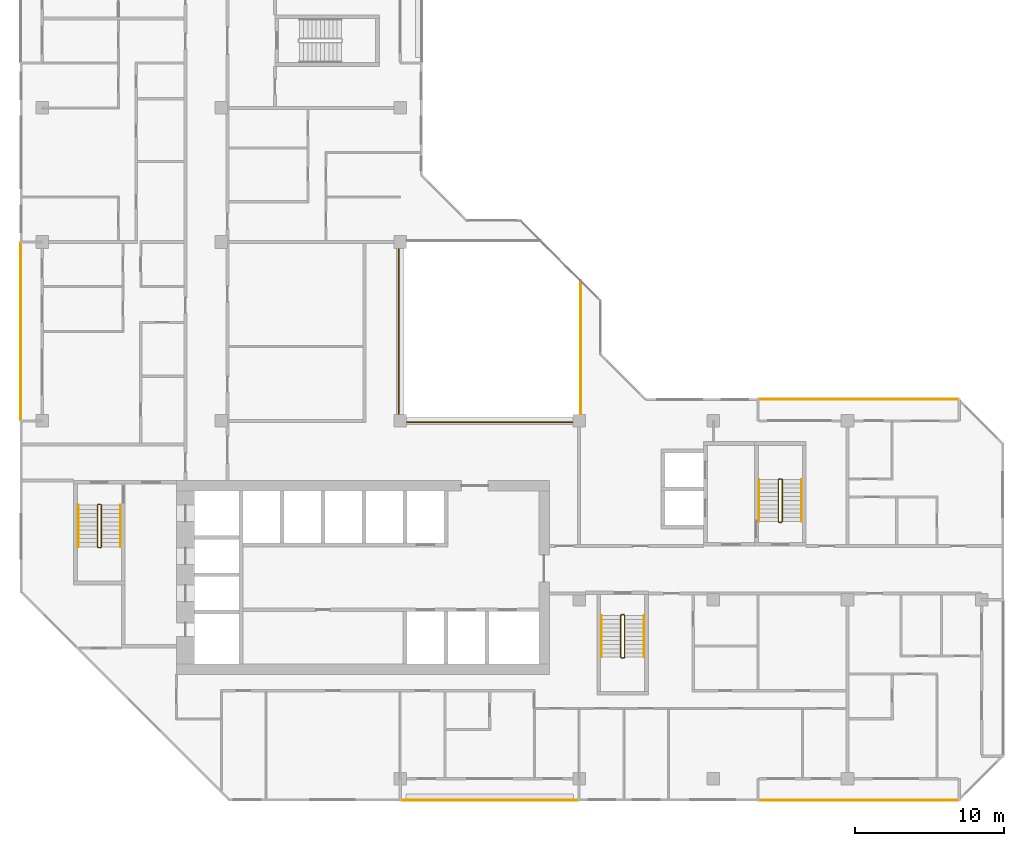
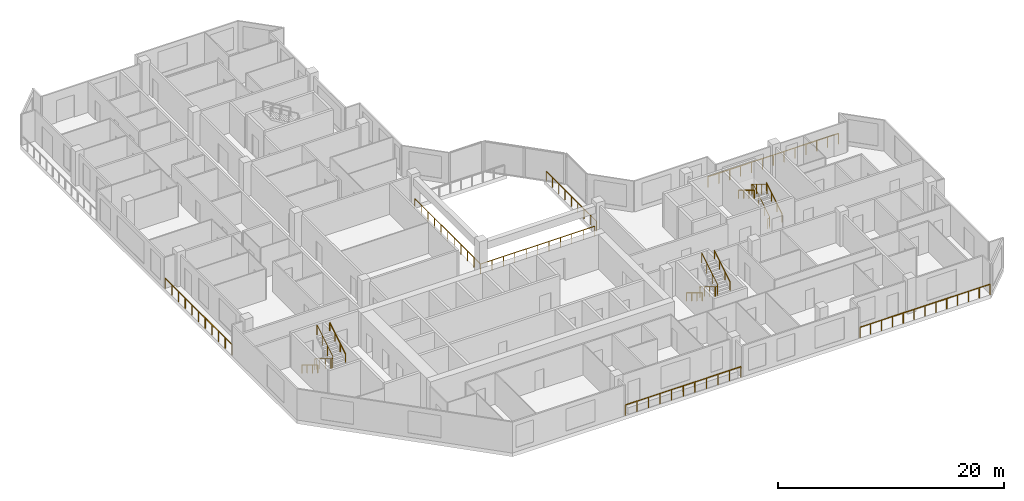
# One storey, part 13 of 14: 15 railings.
"""IFC4 building model written with IfcOpenShell, lengths in metres."""

import ifcopenshell
import ifcopenshell.guid

model = None  # the IFC model being written
_history = None  # IfcOwnerHistory: only IFC2X3 demands one
_inside = {}  # id of a spatial element -> (the spatial element, [elements in it])
_under = {}  # id of a project, library or spatial element -> (it, [spatial elements below it])
_declared = {}  # id of a project -> (the project, [libraries it declares])
_typed = {}  # id of a type object -> (the type object, [elements of that type])
_made_of = {}  # id of a material, layer set ... -> (it, [elements and type objects made of it])


def new_model(schema):
    """Start an empty IFC model of exactly this schema.

    Asked for "IFC4X3", IfcOpenShell would pick the latest addendum, in which some entities
    have other attributes; the version numbers below select the first issue.
    IFC2X3 requires an IfcOwnerHistory on every rooted entity: one is made here for all.
    """
    global model, _history
    if schema == "IFC4X3":
        model = ifcopenshell.file(schema_version=(4, 3, 0, 0))
    else:
        model = ifcopenshell.file(schema=schema)
    _inside.clear()
    _under.clear()
    _declared.clear()
    _typed.clear()
    _made_of.clear()
    _history = None
    if model.schema == "IFC2X3":
        org = make("IfcOrganization", Name="unknown")
        user = make(
            "IfcPersonAndOrganization",
            ThePerson=make("IfcPerson", FamilyName="unknown"),
            TheOrganization=org,
        )
        app = make(
            "IfcApplication",
            ApplicationDeveloper=org,
            Version="unknown",
            ApplicationFullName="unknown",
            ApplicationIdentifier="unknown",
        )
        _history = make(
            "IfcOwnerHistory",
            OwningUser=user,
            OwningApplication=app,
            ChangeAction="ADDED",
            CreationDate=0,
        )
    return model


def make(cls, **values):
    """One entity of the class cls with the attributes given. An attribute that is None is left unset."""
    return model.create_entity(
        cls, **{name: value for name, value in values.items() if value is not None}
    )


def rooted(cls, **values):
    """An entity with a GlobalId (a new one), such as an element, a storey or a relation."""
    return make(cls, GlobalId=ifcopenshell.guid.new(), OwnerHistory=_history, **values)


def si_unit(unit_type, name, prefix=None):
    """IfcSIUnit, for example si_unit("LENGTHUNIT", "METRE", prefix="MILLI")."""
    return make("IfcSIUnit", UnitType=unit_type, Prefix=prefix, Name=name)


def assignment(units):
    """IfcUnitAssignment: the units of a project."""
    return None if units is None else make("IfcUnitAssignment", Units=units)


def point(xyz):
    """IfcCartesianPoint."""
    return None if xyz is None else make("IfcCartesianPoint", Coordinates=xyz)


def direction(xyz):
    """IfcDirection."""
    return None if xyz is None else make("IfcDirection", DirectionRatios=xyz)


def frame(location, z_axis=None, x_axis=None):
    """IfcAxis2Placement3D, a coordinate frame: its origin and axes. An axis left out is left unset."""
    return make(
        "IfcAxis2Placement3D",
        Location=point(location),
        Axis=direction(z_axis),
        RefDirection=direction(x_axis),
    )


def frame_2d(location, x_axis=None):
    """IfcAxis2Placement2D, a coordinate frame in the plane: its origin and x axis."""
    return make(
        "IfcAxis2Placement2D", Location=point(location), RefDirection=direction(x_axis)
    )


def origin():
    """The frame at (0, 0, 0) with its axes left unset."""
    return frame((0.0, 0.0, 0.0))


def origin_2d():
    """The frame at (0, 0) in the plane with its x axis left unset."""
    return frame_2d((0.0, 0.0))


def place(relative_to, where):
    """IfcLocalPlacement: puts the frame where relative to a parent placement (None: the world)."""
    return make(
        "IfcLocalPlacement", PlacementRelTo=relative_to, RelativePlacement=where
    )


def context(
    kind, dimensions, precision=None, world=None, true_north=None, identifier=None
):
    """IfcGeometricRepresentationContext, for example the 3D "Model" context."""
    return make(
        "IfcGeometricRepresentationContext",
        ContextIdentifier=identifier,
        ContextType=kind,
        CoordinateSpaceDimension=dimensions,
        Precision=precision,
        WorldCoordinateSystem=world,
        TrueNorth=true_north,
    )


def subcontext(parent, identifier, kind, view, scale=None):
    """IfcGeometricRepresentationSubContext, for example "Body" below "Model"."""
    return make(
        "IfcGeometricRepresentationSubContext",
        ContextIdentifier=identifier,
        ContextType=kind,
        ParentContext=parent,
        TargetScale=scale,
        TargetView=view,
    )


def project(units=None, contexts=None):
    """IfcProject with its units and contexts."""
    return rooted(
        "IfcProject",
        Name="project",
        RepresentationContexts=contexts,
        UnitsInContext=assignment(units),
    )


def spatial(cls, under=None, at=None, **own):
    """A site, building, storey or space (cls), placed at a placement, below another one or the project."""
    s = rooted(cls, ObjectPlacement=at, **own)
    if under is not None:
        _under.setdefault(under.id(), (under, []))[1].append(s)
    return s


def profile(cls, at=None, kind="AREA", **sizes):
    """A parametric profile (cls). Its sizes go by their IFC names, for example OverallWidth=200.0."""
    return make(cls, ProfileType=kind, Position=at, **sizes)


def rectangle(**sizes):
    """IfcRectangleProfileDef."""
    return profile("IfcRectangleProfileDef", **sizes)


def extrude(swept, where, along, depth):
    """IfcExtrudedAreaSolid: the profile swept, set in the frame where, extruded along a direction by depth."""
    return make(
        "IfcExtrudedAreaSolid",
        SweptArea=swept,
        Position=where,
        ExtrudedDirection=direction(along),
        Depth=depth,
    )


def shape(context_of_items, identifier, shape_type, items):
    """IfcShapeRepresentation: the items that make up one representation, for example the "Body"."""
    return make(
        "IfcShapeRepresentation",
        ContextOfItems=context_of_items,
        RepresentationIdentifier=identifier,
        RepresentationType=shape_type,
        Items=items,
    )


def material(Name=None, Category=None):
    """IfcMaterial."""
    return make("IfcMaterial", Name=Name, Category=Category)


def made_of(thing, what):
    """Note that an element or type object is made of a material, layer set ...; save() writes the relation."""
    if what is not None:
        _made_of.setdefault(what.id(), (what, []))[1].append(thing)
    return thing


def type_object(cls, material=None, **own):
    """A type object (cls), such as IfcWallType, which elements share."""
    return made_of(rooted(cls, **own), material)


def element(
    cls,
    number,
    at=None,
    inside=None,
    cuts=None,
    type_object=None,
    material=None,
    context=None,
    identifier="Body",
    shape_type=None,
    held_by="IfcProductDefinitionShape",
    body=None,
    shapes=None,
    **own,
):
    """One element of the class cls, such as IfcWall. Its Tag is "e" and its number.

    at: its placement. inside: the storey or other place that contains it. cuts: it is an
    opening in that element (IfcRelVoidsElement). A single representation is given by context,
    identifier, shape_type and body (its items); several are given by shapes. held_by: the class
    of the entity that holds the representations. save() writes the other relations.
    """
    e = rooted(cls, Tag="e%d" % number, ObjectPlacement=at, **own)
    if body is not None:
        shapes = [shape(context, identifier, shape_type, body)]
    if shapes is not None:
        e.Representation = make(held_by, Representations=shapes)
    if inside is not None:
        _inside.setdefault(inside.id(), (inside, []))[1].append(e)
    if cuts is not None:
        rooted(
            "IfcRelVoidsElement", RelatingBuildingElement=cuts, RelatedOpeningElement=e
        )
    if type_object is not None:
        _typed.setdefault(type_object.id(), (type_object, []))[1].append(e)
    return made_of(e, material)


def aggregate(whole, parts):
    """IfcRelAggregates: a whole, such as a stair, and the parts it consists of."""
    return rooted("IfcRelAggregates", RelatingObject=whole, RelatedObjects=parts)


def save(model, path):
    """Write the relations noted so far, then the file.

    IfcRelAggregates (storeys below a building ...), IfcRelContainedInSpatialStructure (elements
    in a storey), IfcRelDefinesByType, IfcRelAssociatesMaterial and IfcRelDeclares: one each for
    every whole, place, type object, material and project.
    """
    for whole, parts in _under.values():
        aggregate(whole, parts)
    for where, things in _inside.values():
        rooted(
            "IfcRelContainedInSpatialStructure",
            RelatedElements=things,
            RelatingStructure=where,
        )
    for kind, things in _typed.values():
        rooted("IfcRelDefinesByType", RelatedObjects=things, RelatingType=kind)
    for what, things in _made_of.values():
        rooted("IfcRelAssociatesMaterial", RelatedObjects=things, RelatingMaterial=what)
    for by, libraries in _declared.values():
        rooted("IfcRelDeclares", RelatingContext=by, RelatedDefinitions=libraries)
    model.write(path)


model = new_model("IFC4")

# Units and contexts
model_context = context("Model", 3, precision=1e-05, world=origin(), true_north=direction((0.0, 1.0)))
body_context = subcontext(model_context, "Body", "Model", "MODEL_VIEW")
ifc_project = project(units=[si_unit("LENGTHUNIT", "METRE"), si_unit("AREAUNIT", "SQUARE_METRE"), si_unit("VOLUMEUNIT", "CUBIC_METRE"), si_unit("PLANEANGLEUNIT", "RADIAN"), si_unit("MASSUNIT", "GRAM", prefix="KILO")], contexts=[model_context])

# Site, building, storey
site_placement = place(None, origin())
site = spatial("IfcSite", under=ifc_project, at=site_placement, CompositionType="ELEMENT")
building_placement = place(site_placement, origin())
building = spatial("IfcBuilding", under=site, at=building_placement, Name="Chenar Terraces", CompositionType="ELEMENT")
storey_placement = place(building_placement, frame((0.0, 0.0, 241.64990234375)))
storey = spatial("IfcBuildingStorey", under=building, at=storey_placement, Name="L57", CompositionType="ELEMENT", Elevation=241.64990234375)

# Railings
ifc_material_1 = material(Name="Powder-coated steel", Category="steel")
railing_type_1 = type_object("IfcRailingType", Name="Guard 1100 steel rail with glass infill", PredefinedType="GUARDRAIL", material=ifc_material_1)
railing_1_placement = place(storey_placement, frame((23.89990234375, 35.574951171875, 0.0)))
element("IfcRailing", 1, at=railing_1_placement, inside=storey, type_object=railing_type_1, Name="Guard L57-1", PredefinedType="GUARDRAIL", context=body_context, shape_type="SweptSolid", body=[
    extrude(rectangle(XDim=0.06005859375, YDim=0.06005859375, at=origin_2d()), frame((0.0, 0.0, 1.070068359375), z_axis=(0.0, -1.0, 0.0), x_axis=(1.0, 0.0, 0.0)), (0.0, 0.0, 1.0), 11.675048828125),
    extrude(rectangle(XDim=0.06005859375, YDim=0.06005859375, at=origin_2d()), frame((0.0, -11.675048828125, 1.070068359375), z_axis=(1.0, 0.0, 0.0), x_axis=(0.0, 1.0, 0.0)), (0.0, 0.0, 1.0), 11.675048828125),
    extrude(rectangle(XDim=0.050048828125, YDim=0.050048828125, at=origin_2d()), origin(), (0.0, 0.0, 1.0), 1.0400390625),
    extrude(rectangle(XDim=0.050048828125, YDim=0.050048828125, at=origin_2d()), frame((0.0, -1.16748046875, 0.0)), (0.0, 0.0, 1.0), 1.0400390625),
    extrude(rectangle(XDim=0.050048828125, YDim=0.050048828125, at=origin_2d()), frame((0.0, -2.3349609375, 0.0)), (0.0, 0.0, 1.0), 1.0400390625),
    extrude(rectangle(XDim=0.050048828125, YDim=0.050048828125, at=origin_2d()), frame((0.0, -3.50244140625, 0.0)), (0.0, 0.0, 1.0), 1.0400390625),
    extrude(rectangle(XDim=0.050048828125, YDim=0.050048828125, at=origin_2d()), frame((0.0, -4.669921875, 0.0)), (0.0, 0.0, 1.0), 1.0400390625),
    extrude(rectangle(XDim=0.050048828125, YDim=0.050048828125, at=origin_2d()), frame((0.0, -5.83740234375, 0.0)), (0.0, 0.0, 1.0), 1.0400390625),
    extrude(rectangle(XDim=0.050048828125, YDim=0.050048828125, at=origin_2d()), frame((0.0, -7.005126953125, 0.0)), (0.0, 0.0, 1.0), 1.0400390625),
    extrude(rectangle(XDim=0.050048828125, YDim=0.050048828125, at=origin_2d()), frame((0.0, -8.172607421875, 0.0)), (0.0, 0.0, 1.0), 1.0400390625),
    extrude(rectangle(XDim=0.050048828125, YDim=0.050048828125, at=origin_2d()), frame((0.0, -9.340087890625, 0.0)), (0.0, 0.0, 1.0), 1.0400390625),
    extrude(rectangle(XDim=0.050048828125, YDim=0.050048828125, at=origin_2d()), frame((0.0, -10.507568359375, 0.0)), (0.0, 0.0, 1.0), 1.0400390625),
    extrude(rectangle(XDim=0.050048828125, YDim=0.050048828125, at=origin_2d()), frame((0.0, -11.675048828125, 0.0)), (0.0, 0.0, 1.0), 1.0400390625),
    extrude(rectangle(XDim=0.050048828125, YDim=0.050048828125, at=origin_2d()), frame((1.16748046875, -11.675048828125, 0.0)), (0.0, 0.0, 1.0), 1.0400390625),
    extrude(rectangle(XDim=0.050048828125, YDim=0.050048828125, at=origin_2d()), frame((2.3349609375, -11.675048828125, 0.0)), (0.0, 0.0, 1.0), 1.0400390625),
    extrude(rectangle(XDim=0.050048828125, YDim=0.050048828125, at=origin_2d()), frame((3.50244140625, -11.675048828125, 0.0)), (0.0, 0.0, 1.0), 1.0400390625),
    extrude(rectangle(XDim=0.050048828125, YDim=0.050048828125, at=origin_2d()), frame((4.669921875, -11.675048828125, 0.0)), (0.0, 0.0, 1.0), 1.0400390625),
    extrude(rectangle(XDim=0.050048828125, YDim=0.050048828125, at=origin_2d()), frame((5.83740234375, -11.675048828125, 0.0)), (0.0, 0.0, 1.0), 1.0400390625),
    extrude(rectangle(XDim=0.050048828125, YDim=0.050048828125, at=origin_2d()), frame((7.005126953125, -11.675048828125, 0.0)), (0.0, 0.0, 1.0), 1.0400390625),
    extrude(rectangle(XDim=0.050048828125, YDim=0.050048828125, at=origin_2d()), frame((8.172607421875, -11.675048828125, 0.0)), (0.0, 0.0, 1.0), 1.0400390625),
    extrude(rectangle(XDim=0.050048828125, YDim=0.050048828125, at=origin_2d()), frame((9.340087890625, -11.675048828125, 0.0)), (0.0, 0.0, 1.0), 1.0400390625),
    extrude(rectangle(XDim=0.050048828125, YDim=0.050048828125, at=origin_2d()), frame((10.507568359375, -11.675048828125, 0.0)), (0.0, 0.0, 1.0), 1.0400390625),
    extrude(rectangle(XDim=0.050048828125, YDim=0.050048828125, at=origin_2d()), frame((11.675048828125, -11.675048828125, 0.0)), (0.0, 0.0, 1.0), 1.0400390625),
])
railing_2_placement = place(storey_placement, frame((36.10009765625, 24.47509765625, 0.0)))
element("IfcRailing", 2, at=railing_2_placement, inside=storey, type_object=railing_type_1, Name="Guard L57-3", PredefinedType="GUARDRAIL", context=body_context, shape_type="SweptSolid", body=[
    extrude(rectangle(XDim=0.06005859375, YDim=0.06005859375, at=origin_2d()), frame((0.0, 0.0, 1.070068359375), z_axis=(0.0, 1.0, 0.0), x_axis=(-1.0, 0.0, 0.0)), (0.0, 0.0, 1.0), 8.9248046875),
    extrude(rectangle(XDim=0.050048828125, YDim=0.050048828125, at=origin_2d()), origin(), (0.0, 0.0, 1.0), 1.0400390625),
    extrude(rectangle(XDim=0.050048828125, YDim=0.050048828125, at=origin_2d()), frame((0.0, 1.11572265625, 0.0)), (0.0, 0.0, 1.0), 1.0400390625),
    extrude(rectangle(XDim=0.050048828125, YDim=0.050048828125, at=origin_2d()), frame((0.0, 2.231201171875, 0.0)), (0.0, 0.0, 1.0), 1.0400390625),
    extrude(rectangle(XDim=0.050048828125, YDim=0.050048828125, at=origin_2d()), frame((0.0, 3.3466796875, 0.0)), (0.0, 0.0, 1.0), 1.0400390625),
    extrude(rectangle(XDim=0.050048828125, YDim=0.050048828125, at=origin_2d()), frame((0.0, 4.46240234375, 0.0)), (0.0, 0.0, 1.0), 1.0400390625),
    extrude(rectangle(XDim=0.050048828125, YDim=0.050048828125, at=origin_2d()), frame((0.0, 5.578125, 0.0)), (0.0, 0.0, 1.0), 1.0400390625),
    extrude(rectangle(XDim=0.050048828125, YDim=0.050048828125, at=origin_2d()), frame((0.0, 6.693603515625, 0.0)), (0.0, 0.0, 1.0), 1.0400390625),
    extrude(rectangle(XDim=0.050048828125, YDim=0.050048828125, at=origin_2d()), frame((0.0, 7.80908203125, 0.0)), (0.0, 0.0, 1.0), 1.0400390625),
    extrude(rectangle(XDim=0.050048828125, YDim=0.050048828125, at=origin_2d()), frame((0.0, 8.9248046875, 0.0)), (0.0, 0.0, 1.0), 1.0400390625),
])
ifc_material_2 = material(Name="Stainless steel and glass", Category="steel")
railing_type_2 = type_object("IfcRailingType", Name="Loggia guard 1150", PredefinedType="GUARDRAIL", material=ifc_material_2)
railing_3_placement = place(storey_placement, frame((61.425048828125, 25.449951171875, 0.0)))
element("IfcRailing", 3, at=railing_3_placement, inside=storey, type_object=railing_type_2, Name="Loggia guard", PredefinedType="GUARDRAIL", context=body_context, shape_type="SweptSolid", body=[
    extrude(rectangle(XDim=0.048095703125, YDim=0.048095703125, at=origin_2d()), frame((0.0, 0.0, 1.1259765625), z_axis=(-1.0, 0.0, 0.0), x_axis=(0.0, -1.0, 0.0)), (0.0, 0.0, 1.0), 13.35009765625),
    extrude(rectangle(XDim=0.0419921875, YDim=0.0419921875, at=origin_2d()), origin(), (0.0, 0.0, 1.0), 1.101806640625),
    extrude(rectangle(XDim=0.0419921875, YDim=0.0419921875, at=origin_2d()), frame((-1.112548828125, 0.0, 0.0)), (0.0, 0.0, 1.0), 1.101806640625),
    extrude(rectangle(XDim=0.0419921875, YDim=0.0419921875, at=origin_2d()), frame((-2.22509765625, 0.0, 0.0)), (0.0, 0.0, 1.0), 1.101806640625),
    extrude(rectangle(XDim=0.0419921875, YDim=0.0419921875, at=origin_2d()), frame((-3.33740234375, 0.0, 0.0)), (0.0, 0.0, 1.0), 1.101806640625),
    extrude(rectangle(XDim=0.0419921875, YDim=0.0419921875, at=origin_2d()), frame((-4.449951171875, 0.0, 0.0)), (0.0, 0.0, 1.0), 1.101806640625),
    extrude(rectangle(XDim=0.0419921875, YDim=0.0419921875, at=origin_2d()), frame((-5.5625, 0.0, 0.0)), (0.0, 0.0, 1.0), 1.101806640625),
    extrude(rectangle(XDim=0.0419921875, YDim=0.0419921875, at=origin_2d()), frame((-6.675048828125, 0.0, 0.0)), (0.0, 0.0, 1.0), 1.101806640625),
    extrude(rectangle(XDim=0.0419921875, YDim=0.0419921875, at=origin_2d()), frame((-7.78759765625, 0.0, 0.0)), (0.0, 0.0, 1.0), 1.101806640625),
    extrude(rectangle(XDim=0.0419921875, YDim=0.0419921875, at=origin_2d()), frame((-8.900146484375, 0.0, 0.0)), (0.0, 0.0, 1.0), 1.101806640625),
    extrude(rectangle(XDim=0.0419921875, YDim=0.0419921875, at=origin_2d()), frame((-10.0126953125, 0.0, 0.0)), (0.0, 0.0, 1.0), 1.101806640625),
    extrude(rectangle(XDim=0.0419921875, YDim=0.0419921875, at=origin_2d()), frame((-11.125, 0.0, 0.0)), (0.0, 0.0, 1.0), 1.101806640625),
    extrude(rectangle(XDim=0.0419921875, YDim=0.0419921875, at=origin_2d()), frame((-12.237548828125, 0.0, 0.0)), (0.0, 0.0, 1.0), 1.101806640625),
    extrude(rectangle(XDim=0.0419921875, YDim=0.0419921875, at=origin_2d()), frame((-13.35009765625, 0.0, 0.0)), (0.0, 0.0, 1.0), 1.101806640625),
])
railing_4_placement = place(storey_placement, frame((24.074951171875, -1.449951171875, 0.0)))
element("IfcRailing", 4, at=railing_4_placement, inside=storey, type_object=railing_type_2, Name="Loggia guard", PredefinedType="GUARDRAIL", context=body_context, shape_type="SweptSolid", body=[
    extrude(rectangle(XDim=0.048095703125, YDim=0.048095703125, at=origin_2d()), frame((0.0, 0.0, 1.1259765625), z_axis=(1.0, 0.0, 0.0), x_axis=(0.0, 1.0, 0.0)), (0.0, 0.0, 1.0), 11.85009765625),
    extrude(rectangle(XDim=0.0419921875, YDim=0.0419921875, at=origin_2d()), origin(), (0.0, 0.0, 1.0), 1.101806640625),
    extrude(rectangle(XDim=0.0419921875, YDim=0.0419921875, at=origin_2d()), frame((1.18505859375, 0.0, 0.0)), (0.0, 0.0, 1.0), 1.101806640625),
    extrude(rectangle(XDim=0.0419921875, YDim=0.0419921875, at=origin_2d()), frame((2.3701171875, 0.0, 0.0)), (0.0, 0.0, 1.0), 1.101806640625),
    extrude(rectangle(XDim=0.0419921875, YDim=0.0419921875, at=origin_2d()), frame((3.554931640625, 0.0, 0.0)), (0.0, 0.0, 1.0), 1.101806640625),
    extrude(rectangle(XDim=0.0419921875, YDim=0.0419921875, at=origin_2d()), frame((4.739990234375, 0.0, 0.0)), (0.0, 0.0, 1.0), 1.101806640625),
    extrude(rectangle(XDim=0.0419921875, YDim=0.0419921875, at=origin_2d()), frame((5.925048828125, 0.0, 0.0)), (0.0, 0.0, 1.0), 1.101806640625),
    extrude(rectangle(XDim=0.0419921875, YDim=0.0419921875, at=origin_2d()), frame((7.110107421875, 0.0, 0.0)), (0.0, 0.0, 1.0), 1.101806640625),
    extrude(rectangle(XDim=0.0419921875, YDim=0.0419921875, at=origin_2d()), frame((8.295166015625, 0.0, 0.0)), (0.0, 0.0, 1.0), 1.101806640625),
    extrude(rectangle(XDim=0.0419921875, YDim=0.0419921875, at=origin_2d()), frame((9.47998046875, 0.0, 0.0)), (0.0, 0.0, 1.0), 1.101806640625),
    extrude(rectangle(XDim=0.0419921875, YDim=0.0419921875, at=origin_2d()), frame((10.6650390625, 0.0, 0.0)), (0.0, 0.0, 1.0), 1.101806640625),
    extrude(rectangle(XDim=0.0419921875, YDim=0.0419921875, at=origin_2d()), frame((11.85009765625, 0.0, 0.0)), (0.0, 0.0, 1.0), 1.101806640625),
])
railing_5_placement = place(storey_placement, frame((48.074951171875, -1.449951171875, 0.0)))
element("IfcRailing", 5, at=railing_5_placement, inside=storey, type_object=railing_type_2, Name="Loggia guard", PredefinedType="GUARDRAIL", context=body_context, shape_type="SweptSolid", body=[
    extrude(rectangle(XDim=0.048095703125, YDim=0.048095703125, at=origin_2d()), frame((0.0, 0.0, 1.1259765625), z_axis=(1.0, 0.0, 0.0), x_axis=(0.0, 1.0, 0.0)), (0.0, 0.0, 1.0), 13.35009765625),
    extrude(rectangle(XDim=0.0419921875, YDim=0.0419921875, at=origin_2d()), origin(), (0.0, 0.0, 1.0), 1.101806640625),
    extrude(rectangle(XDim=0.0419921875, YDim=0.0419921875, at=origin_2d()), frame((1.112548828125, 0.0, 0.0)), (0.0, 0.0, 1.0), 1.101806640625),
    extrude(rectangle(XDim=0.0419921875, YDim=0.0419921875, at=origin_2d()), frame((2.22509765625, 0.0, 0.0)), (0.0, 0.0, 1.0), 1.101806640625),
    extrude(rectangle(XDim=0.0419921875, YDim=0.0419921875, at=origin_2d()), frame((3.33740234375, 0.0, 0.0)), (0.0, 0.0, 1.0), 1.101806640625),
    extrude(rectangle(XDim=0.0419921875, YDim=0.0419921875, at=origin_2d()), frame((4.449951171875, 0.0, 0.0)), (0.0, 0.0, 1.0), 1.101806640625),
    extrude(rectangle(XDim=0.0419921875, YDim=0.0419921875, at=origin_2d()), frame((5.5625, 0.0, 0.0)), (0.0, 0.0, 1.0), 1.101806640625),
    extrude(rectangle(XDim=0.0419921875, YDim=0.0419921875, at=origin_2d()), frame((6.675048828125, 0.0, 0.0)), (0.0, 0.0, 1.0), 1.101806640625),
    extrude(rectangle(XDim=0.0419921875, YDim=0.0419921875, at=origin_2d()), frame((7.78759765625, 0.0, 0.0)), (0.0, 0.0, 1.0), 1.101806640625),
    extrude(rectangle(XDim=0.0419921875, YDim=0.0419921875, at=origin_2d()), frame((8.900146484375, 0.0, 0.0)), (0.0, 0.0, 1.0), 1.101806640625),
    extrude(rectangle(XDim=0.0419921875, YDim=0.0419921875, at=origin_2d()), frame((10.0126953125, 0.0, 0.0)), (0.0, 0.0, 1.0), 1.101806640625),
    extrude(rectangle(XDim=0.0419921875, YDim=0.0419921875, at=origin_2d()), frame((11.125, 0.0, 0.0)), (0.0, 0.0, 1.0), 1.101806640625),
    extrude(rectangle(XDim=0.0419921875, YDim=0.0419921875, at=origin_2d()), frame((12.237548828125, 0.0, 0.0)), (0.0, 0.0, 1.0), 1.101806640625),
    extrude(rectangle(XDim=0.0419921875, YDim=0.0419921875, at=origin_2d()), frame((13.35009765625, 0.0, 0.0)), (0.0, 0.0, 1.0), 1.101806640625),
])
railing_6_placement = place(storey_placement, frame((-1.449951171875, 35.925048828125, 0.0)))
element("IfcRailing", 6, at=railing_6_placement, inside=storey, type_object=railing_type_2, Name="Loggia guard", PredefinedType="GUARDRAIL", context=body_context, shape_type="SweptSolid", body=[
    extrude(rectangle(XDim=0.048095703125, YDim=0.048095703125, at=origin_2d()), frame((0.0, 0.0, 1.1259765625), z_axis=(0.0, -1.0, 0.0), x_axis=(1.0, 0.0, 0.0)), (0.0, 0.0, 1.0), 11.85009765625),
    extrude(rectangle(XDim=0.0419921875, YDim=0.0419921875, at=origin_2d()), origin(), (0.0, 0.0, 1.0), 1.101806640625),
    extrude(rectangle(XDim=0.0419921875, YDim=0.0419921875, at=origin_2d()), frame((0.0, -1.18505859375, 0.0)), (0.0, 0.0, 1.0), 1.101806640625),
    extrude(rectangle(XDim=0.0419921875, YDim=0.0419921875, at=origin_2d()), frame((0.0, -2.3701171875, 0.0)), (0.0, 0.0, 1.0), 1.101806640625),
    extrude(rectangle(XDim=0.0419921875, YDim=0.0419921875, at=origin_2d()), frame((0.0, -3.554931640625, 0.0)), (0.0, 0.0, 1.0), 1.101806640625),
    extrude(rectangle(XDim=0.0419921875, YDim=0.0419921875, at=origin_2d()), frame((0.0, -4.739990234375, 0.0)), (0.0, 0.0, 1.0), 1.101806640625),
    extrude(rectangle(XDim=0.0419921875, YDim=0.0419921875, at=origin_2d()), frame((0.0, -5.925048828125, 0.0)), (0.0, 0.0, 1.0), 1.101806640625),
    extrude(rectangle(XDim=0.0419921875, YDim=0.0419921875, at=origin_2d()), frame((0.0, -7.110107421875, 0.0)), (0.0, 0.0, 1.0), 1.101806640625),
    extrude(rectangle(XDim=0.0419921875, YDim=0.0419921875, at=origin_2d()), frame((0.0, -8.295166015625, 0.0)), (0.0, 0.0, 1.0), 1.101806640625),
    extrude(rectangle(XDim=0.0419921875, YDim=0.0419921875, at=origin_2d()), frame((0.0, -9.47998046875, 0.0)), (0.0, 0.0, 1.0), 1.101806640625),
    extrude(rectangle(XDim=0.0419921875, YDim=0.0419921875, at=origin_2d()), frame((0.0, -10.6650390625, 0.0)), (0.0, 0.0, 1.0), 1.101806640625),
    extrude(rectangle(XDim=0.0419921875, YDim=0.0419921875, at=origin_2d()), frame((0.0, -11.85009765625, 0.0)), (0.0, 0.0, 1.0), 1.101806640625),
])
ifc_material_3 = material(Name="Powder-coated steel", Category="steel")
railing_type_3 = type_object("IfcRailingType", Name="Stair guard 1100", PredefinedType="GUARDRAIL", material=ifc_material_3)
railing_7_placement = place(storey_placement, frame((3.949951171875, 18.35009765625, 3.75)))
element("IfcRailing", 7, at=railing_7_placement, inside=storey, type_object=railing_type_3, Name="L57 ST1 stair guard 1", PredefinedType="GUARDRAIL", context=body_context, shape_type="SweptSolid", body=[
    extrude(rectangle(XDim=0.048095703125, YDim=0.048095703125, at=origin_2d()), frame((0.0, 0.0, 1.076171875), z_axis=(0.0, -0.854202870247, -0.519939858505), x_axis=(1.0, 0.0, 0.0)), (0.0, 0.0, 1.0), 3.278076171875),
    extrude(rectangle(XDim=0.048095703125, YDim=0.048095703125, at=origin_2d()), frame((0.0, -2.800048828125, -0.62841796875), z_axis=(-0.270899902878, -0.270899902878, -0.923702595667), x_axis=(0.707106781187, -0.707106781187, 0.0)), (0.0, 0.0, 1.0), 0.184814453125),
    extrude(rectangle(XDim=0.048095703125, YDim=0.048095703125, at=origin_2d()), frame((-0.050048828125, -2.85009765625, -0.798828125), z_axis=(-1.0, 0.0, 0.0), x_axis=(0.0, -1.0, 0.0)), (0.0, 0.0, 1.0), 0.14990234375),
    extrude(rectangle(XDim=0.048095703125, YDim=0.048095703125, at=origin_2d()), frame((-0.199951171875, -2.85009765625, -0.798828125), z_axis=(-0.707106781187, 0.707106781187, 0.0), x_axis=(-0.707106781187, -0.707106781187, 0.0)), (0.0, 0.0, 1.0), 0.07080078125),
    extrude(rectangle(XDim=0.048095703125, YDim=0.048095703125, at=origin_2d()), frame((-0.25, -2.800048828125, -0.798828125), z_axis=(0.0, 0.854202870247, -0.519939858505), x_axis=(-1.0, 0.0, 0.0)), (0.0, 0.0, 1.0), 3.278076171875),
    extrude(rectangle(XDim=0.048095703125, YDim=0.048095703125, at=origin_2d()), frame((-0.25, 0.0, -2.50341796875), z_axis=(0.270996696079, 0.269674760976, -0.924032636873), x_axis=(-0.705375805398, 0.708833529934, 0.0)), (0.0, 0.0, 1.0), 0.1845703125),
    extrude(rectangle(XDim=0.048095703125, YDim=0.048095703125, at=origin_2d()), frame((-0.199951171875, 0.0498046875, -2.673828125), z_axis=(1.0, 0.0, 0.0), x_axis=(0.0, 1.0, 0.0)), (0.0, 0.0, 1.0), 0.14990234375),
    extrude(rectangle(XDim=0.0419921875, YDim=0.0419921875, at=origin_2d()), origin(), (0.0, 0.0, 1.0), 1.052001953125),
    extrude(rectangle(XDim=0.0419921875, YDim=0.0419921875, at=origin_2d()), frame((0.0, -0.933349609375, -0.568115234375)), (0.0, 0.0, 1.0), 1.052001953125),
    extrude(rectangle(XDim=0.0419921875, YDim=0.0419921875, at=origin_2d()), frame((0.0, -1.86669921875, -1.13623046875)), (0.0, 0.0, 1.0), 1.052001953125),
    extrude(rectangle(XDim=0.0419921875, YDim=0.0419921875, at=origin_2d()), frame((0.0, -2.800048828125, -1.704345703125)), (0.0, 0.0, 1.0), 1.052001953125),
    extrude(rectangle(XDim=0.0419921875, YDim=0.0419921875, at=origin_2d()), frame((-0.050048828125, -2.85009765625, -1.875)), (0.0, 0.0, 1.0), 1.052001953125),
    extrude(rectangle(XDim=0.0419921875, YDim=0.0419921875, at=origin_2d()), frame((-0.199951171875, -2.85009765625, -1.875)), (0.0, 0.0, 1.0), 1.052001953125),
    extrude(rectangle(XDim=0.0419921875, YDim=0.0419921875, at=origin_2d()), frame((-0.25, -2.800048828125, -1.875)), (0.0, 0.0, 1.0), 1.052001953125),
    extrude(rectangle(XDim=0.0419921875, YDim=0.0419921875, at=origin_2d()), frame((-0.25, -1.86669921875, -2.443115234375)), (0.0, 0.0, 1.0), 1.052001953125),
    extrude(rectangle(XDim=0.0419921875, YDim=0.0419921875, at=origin_2d()), frame((-0.25, -0.933349609375, -3.01123046875)), (0.0, 0.0, 1.0), 1.052001953125),
    extrude(rectangle(XDim=0.0419921875, YDim=0.0419921875, at=origin_2d()), frame((-0.25, 0.0, -3.579345703125)), (0.0, 0.0, 1.0), 1.052001953125),
    extrude(rectangle(XDim=0.0419921875, YDim=0.0419921875, at=origin_2d()), frame((-0.199951171875, 0.0498046875, -3.75)), (0.0, 0.0, 1.0), 1.052001953125),
    extrude(rectangle(XDim=0.0419921875, YDim=0.0419921875, at=origin_2d()), frame((-0.050048828125, 0.0498046875, -3.75)), (0.0, 0.0, 1.0), 1.052001953125),
])
railing_8_placement = place(storey_placement, frame((39.050048828125, 10.949951171875, 3.75)))
element("IfcRailing", 8, at=railing_8_placement, inside=storey, type_object=railing_type_3, Name="L57 ST2 stair guard 1", PredefinedType="GUARDRAIL", context=body_context, shape_type="SweptSolid", body=[
    extrude(rectangle(XDim=0.048095703125, YDim=0.048095703125, at=origin_2d()), frame((0.0, 0.0, 1.076171875), z_axis=(0.0, -0.854202870247, -0.519939858505), x_axis=(1.0, 0.0, 0.0)), (0.0, 0.0, 1.0), 3.278076171875),
    extrude(rectangle(XDim=0.048095703125, YDim=0.048095703125, at=origin_2d()), frame((0.0, -2.800048828125, -0.62841796875), z_axis=(-0.270996696079, -0.269674760976, -0.924032636873), x_axis=(0.705375805398, -0.708833529934, 0.0)), (0.0, 0.0, 1.0), 0.1845703125),
    extrude(rectangle(XDim=0.048095703125, YDim=0.048095703125, at=origin_2d()), frame((-0.050048828125, -2.849853515625, -0.798828125), z_axis=(-1.0, 0.0, 0.0), x_axis=(0.0, -1.0, 0.0)), (0.0, 0.0, 1.0), 0.14990234375),
    extrude(rectangle(XDim=0.048095703125, YDim=0.048095703125, at=origin_2d()), frame((-0.199951171875, -2.849853515625, -0.798828125), z_axis=(-0.708833529934, 0.705375805398, 0.0), x_axis=(-0.705375805398, -0.708833529934, 0.0)), (0.0, 0.0, 1.0), 0.070556640625),
    extrude(rectangle(XDim=0.048095703125, YDim=0.048095703125, at=origin_2d()), frame((-0.25, -2.800048828125, -0.798828125), z_axis=(0.0, 0.854202870247, -0.519939858505), x_axis=(-1.0, 0.0, 0.0)), (0.0, 0.0, 1.0), 3.278076171875),
    extrude(rectangle(XDim=0.048095703125, YDim=0.048095703125, at=origin_2d()), frame((-0.25, 0.0, -2.50341796875), z_axis=(0.270899902878, 0.270899902878, -0.923702595667), x_axis=(-0.707106781187, 0.707106781187, 0.0)), (0.0, 0.0, 1.0), 0.184814453125),
    extrude(rectangle(XDim=0.048095703125, YDim=0.048095703125, at=origin_2d()), frame((-0.199951171875, 0.050048828125, -2.673828125), z_axis=(1.0, 0.0, 0.0), x_axis=(0.0, 1.0, 0.0)), (0.0, 0.0, 1.0), 0.14990234375),
    extrude(rectangle(XDim=0.0419921875, YDim=0.0419921875, at=origin_2d()), origin(), (0.0, 0.0, 1.0), 1.052001953125),
    extrude(rectangle(XDim=0.0419921875, YDim=0.0419921875, at=origin_2d()), frame((0.0, -0.933349609375, -0.568115234375)), (0.0, 0.0, 1.0), 1.052001953125),
    extrude(rectangle(XDim=0.0419921875, YDim=0.0419921875, at=origin_2d()), frame((0.0, -1.86669921875, -1.13623046875)), (0.0, 0.0, 1.0), 1.052001953125),
    extrude(rectangle(XDim=0.0419921875, YDim=0.0419921875, at=origin_2d()), frame((0.0, -2.800048828125, -1.704345703125)), (0.0, 0.0, 1.0), 1.052001953125),
    extrude(rectangle(XDim=0.0419921875, YDim=0.0419921875, at=origin_2d()), frame((-0.050048828125, -2.849853515625, -1.875)), (0.0, 0.0, 1.0), 1.052001953125),
    extrude(rectangle(XDim=0.0419921875, YDim=0.0419921875, at=origin_2d()), frame((-0.199951171875, -2.849853515625, -1.875)), (0.0, 0.0, 1.0), 1.052001953125),
    extrude(rectangle(XDim=0.0419921875, YDim=0.0419921875, at=origin_2d()), frame((-0.25, -2.800048828125, -1.875)), (0.0, 0.0, 1.0), 1.052001953125),
    extrude(rectangle(XDim=0.0419921875, YDim=0.0419921875, at=origin_2d()), frame((-0.25, -1.86669921875, -2.443115234375)), (0.0, 0.0, 1.0), 1.052001953125),
    extrude(rectangle(XDim=0.0419921875, YDim=0.0419921875, at=origin_2d()), frame((-0.25, -0.933349609375, -3.01123046875)), (0.0, 0.0, 1.0), 1.052001953125),
    extrude(rectangle(XDim=0.0419921875, YDim=0.0419921875, at=origin_2d()), frame((-0.25, 0.0, -3.579345703125)), (0.0, 0.0, 1.0), 1.052001953125),
    extrude(rectangle(XDim=0.0419921875, YDim=0.0419921875, at=origin_2d()), frame((-0.199951171875, 0.050048828125, -3.75)), (0.0, 0.0, 1.0), 1.052001953125),
    extrude(rectangle(XDim=0.0419921875, YDim=0.0419921875, at=origin_2d()), frame((-0.050048828125, 0.050048828125, -3.75)), (0.0, 0.0, 1.0), 1.052001953125),
])
railing_9_placement = place(storey_placement, frame((49.375, 17.25, 3.75)))
element("IfcRailing", 9, at=railing_9_placement, inside=storey, type_object=railing_type_3, Name="L57 ST3 stair guard 1", PredefinedType="GUARDRAIL", context=body_context, shape_type="SweptSolid", body=[
    extrude(rectangle(XDim=0.048095703125, YDim=0.048095703125, at=origin_2d()), frame((0.0, 0.0, 1.076171875), z_axis=(0.0, 0.854202870247, -0.519939858505), x_axis=(-1.0, 0.0, 0.0)), (0.0, 0.0, 1.0), 3.278076171875),
    extrude(rectangle(XDim=0.048095703125, YDim=0.048095703125, at=origin_2d()), frame((0.0, 2.800048828125, -0.62841796875), z_axis=(0.270899902878, 0.270899902878, -0.923702595667), x_axis=(-0.707106781187, 0.707106781187, 0.0)), (0.0, 0.0, 1.0), 0.184814453125),
    extrude(rectangle(XDim=0.048095703125, YDim=0.048095703125, at=origin_2d()), frame((0.050048828125, 2.85009765625, -0.798828125), z_axis=(1.0, 0.0, 0.0), x_axis=(0.0, 1.0, 0.0)), (0.0, 0.0, 1.0), 0.14990234375),
    extrude(rectangle(XDim=0.048095703125, YDim=0.048095703125, at=origin_2d()), frame((0.199951171875, 2.85009765625, -0.798828125), z_axis=(0.707106781187, -0.707106781187, 0.0), x_axis=(0.707106781187, 0.707106781187, 0.0)), (0.0, 0.0, 1.0), 0.07080078125),
    extrude(rectangle(XDim=0.048095703125, YDim=0.048095703125, at=origin_2d()), frame((0.25, 2.800048828125, -0.798828125), z_axis=(0.0, -0.854202870247, -0.519939858505), x_axis=(1.0, 0.0, 0.0)), (0.0, 0.0, 1.0), 3.278076171875),
    extrude(rectangle(XDim=0.048095703125, YDim=0.048095703125, at=origin_2d()), frame((0.25, 0.0, -2.50341796875), z_axis=(-0.270899902878, -0.270899902878, -0.923702595667), x_axis=(0.707106781187, -0.707106781187, 0.0)), (0.0, 0.0, 1.0), 0.184814453125),
    extrude(rectangle(XDim=0.048095703125, YDim=0.048095703125, at=origin_2d()), frame((0.199951171875, -0.050048828125, -2.673828125), z_axis=(-1.0, 0.0, 0.0), x_axis=(0.0, -1.0, 0.0)), (0.0, 0.0, 1.0), 0.14990234375),
    extrude(rectangle(XDim=0.0419921875, YDim=0.0419921875, at=origin_2d()), origin(), (0.0, 0.0, 1.0), 1.052001953125),
    extrude(rectangle(XDim=0.0419921875, YDim=0.0419921875, at=origin_2d()), frame((0.0, 0.933349609375, -0.568115234375)), (0.0, 0.0, 1.0), 1.052001953125),
    extrude(rectangle(XDim=0.0419921875, YDim=0.0419921875, at=origin_2d()), frame((0.0, 1.86669921875, -1.13623046875)), (0.0, 0.0, 1.0), 1.052001953125),
    extrude(rectangle(XDim=0.0419921875, YDim=0.0419921875, at=origin_2d()), frame((0.0, 2.800048828125, -1.704345703125)), (0.0, 0.0, 1.0), 1.052001953125),
    extrude(rectangle(XDim=0.0419921875, YDim=0.0419921875, at=origin_2d()), frame((0.050048828125, 2.85009765625, -1.875)), (0.0, 0.0, 1.0), 1.052001953125),
    extrude(rectangle(XDim=0.0419921875, YDim=0.0419921875, at=origin_2d()), frame((0.199951171875, 2.85009765625, -1.875)), (0.0, 0.0, 1.0), 1.052001953125),
    extrude(rectangle(XDim=0.0419921875, YDim=0.0419921875, at=origin_2d()), frame((0.25, 2.800048828125, -1.875)), (0.0, 0.0, 1.0), 1.052001953125),
    extrude(rectangle(XDim=0.0419921875, YDim=0.0419921875, at=origin_2d()), frame((0.25, 1.86669921875, -2.443115234375)), (0.0, 0.0, 1.0), 1.052001953125),
    extrude(rectangle(XDim=0.0419921875, YDim=0.0419921875, at=origin_2d()), frame((0.25, 0.933349609375, -3.01123046875)), (0.0, 0.0, 1.0), 1.052001953125),
    extrude(rectangle(XDim=0.0419921875, YDim=0.0419921875, at=origin_2d()), frame((0.25, 0.0, -3.579345703125)), (0.0, 0.0, 1.0), 1.052001953125),
    extrude(rectangle(XDim=0.0419921875, YDim=0.0419921875, at=origin_2d()), frame((0.199951171875, -0.050048828125, -3.75)), (0.0, 0.0, 1.0), 1.052001953125),
    extrude(rectangle(XDim=0.0419921875, YDim=0.0419921875, at=origin_2d()), frame((0.050048828125, -0.050048828125, -3.75)), (0.0, 0.0, 1.0), 1.052001953125),
])
ifc_material_4 = material(Name="Powder-coated steel", Category="steel")
railing_type_4 = type_object("IfcRailingType", Name="Stair handrail 900", PredefinedType="HANDRAIL", material=ifc_material_4)
railing_10_placement = place(storey_placement, frame((2.39990234375, 18.35009765625, 0.170654296875)))
element("IfcRailing", 10, at=railing_10_placement, inside=storey, type_object=railing_type_4, Name="L57 ST1 stair handrail 1", PredefinedType="HANDRAIL", context=body_context, shape_type="SweptSolid", body=[
    extrude(rectangle(XDim=0.048095703125, YDim=0.048095703125, at=origin_2d()), frame((0.0, 0.0, 0.8759765625), z_axis=(0.0, -0.854202870247, 0.519939858505), x_axis=(1.0, 0.0, 0.0)), (0.0, 0.0, 1.0), 3.278076171875),
    extrude(rectangle(XDim=0.0419921875, YDim=0.0419921875, at=origin_2d()), origin(), (0.0, 0.0, 1.0), 0.851806640625),
    extrude(rectangle(XDim=0.0419921875, YDim=0.0419921875, at=origin_2d()), frame((0.0, -0.933349609375, 0.568115234375)), (0.0, 0.0, 1.0), 0.851806640625),
    extrude(rectangle(XDim=0.0419921875, YDim=0.0419921875, at=origin_2d()), frame((0.0, -1.86669921875, 1.13623046875)), (0.0, 0.0, 1.0), 0.851806640625),
    extrude(rectangle(XDim=0.0419921875, YDim=0.0419921875, at=origin_2d()), frame((0.0, -2.800048828125, 1.704345703125)), (0.0, 0.0, 1.0), 0.851806640625),
])
railing_11_placement = place(storey_placement, frame((5.25, 15.550048828125, 2.045654296875)))
element("IfcRailing", 11, at=railing_11_placement, inside=storey, type_object=railing_type_4, Name="L57 ST1 stair handrail 2", PredefinedType="HANDRAIL", context=body_context, shape_type="SweptSolid", body=[
    extrude(rectangle(XDim=0.048095703125, YDim=0.048095703125, at=origin_2d()), frame((0.0, 0.0, 0.8759765625), z_axis=(0.0, 0.854202870247, 0.519939858505), x_axis=(-1.0, 0.0, 0.0)), (0.0, 0.0, 1.0), 3.278076171875),
    extrude(rectangle(XDim=0.0419921875, YDim=0.0419921875, at=origin_2d()), origin(), (0.0, 0.0, 1.0), 0.851806640625),
    extrude(rectangle(XDim=0.0419921875, YDim=0.0419921875, at=origin_2d()), frame((0.0, 0.933349609375, 0.568115234375)), (0.0, 0.0, 1.0), 0.851806640625),
    extrude(rectangle(XDim=0.0419921875, YDim=0.0419921875, at=origin_2d()), frame((0.0, 1.86669921875, 1.13623046875)), (0.0, 0.0, 1.0), 0.851806640625),
    extrude(rectangle(XDim=0.0419921875, YDim=0.0419921875, at=origin_2d()), frame((0.0, 2.800048828125, 1.704345703125)), (0.0, 0.0, 1.0), 0.851806640625),
])
railing_12_placement = place(storey_placement, frame((37.5, 10.949951171875, 0.170654296875)))
element("IfcRailing", 12, at=railing_12_placement, inside=storey, type_object=railing_type_4, Name="L57 ST2 stair handrail 1", PredefinedType="HANDRAIL", context=body_context, shape_type="SweptSolid", body=[
    extrude(rectangle(XDim=0.048095703125, YDim=0.048095703125, at=origin_2d()), frame((0.0, 0.0, 0.8759765625), z_axis=(0.0, -0.854202870247, 0.519939858505), x_axis=(1.0, 0.0, 0.0)), (0.0, 0.0, 1.0), 3.278076171875),
    extrude(rectangle(XDim=0.0419921875, YDim=0.0419921875, at=origin_2d()), origin(), (0.0, 0.0, 1.0), 0.851806640625),
    extrude(rectangle(XDim=0.0419921875, YDim=0.0419921875, at=origin_2d()), frame((0.0, -0.933349609375, 0.568115234375)), (0.0, 0.0, 1.0), 0.851806640625),
    extrude(rectangle(XDim=0.0419921875, YDim=0.0419921875, at=origin_2d()), frame((0.0, -1.86669921875, 1.13623046875)), (0.0, 0.0, 1.0), 0.851806640625),
    extrude(rectangle(XDim=0.0419921875, YDim=0.0419921875, at=origin_2d()), frame((0.0, -2.800048828125, 1.704345703125)), (0.0, 0.0, 1.0), 0.851806640625),
])
for number, where, name in (
    (13, (40.35009765625, 8.14990234375, 2.045654296875), "L57 ST2 stair handrail 2"),
    (14, (50.925048828125, 17.25, 0.170654296875), "L57 ST3 stair handrail 1"),
):
    element("IfcRailing", number, at=place(storey_placement, frame(where)), inside=storey, type_object=railing_type_4, Name=name, PredefinedType="HANDRAIL", context=body_context, shape_type="SweptSolid", body=[
        extrude(rectangle(XDim=0.048095703125, YDim=0.048095703125, at=origin_2d()), frame((0.0, 0.0, 0.8759765625), z_axis=(0.0, 0.854202870247, 0.519939858505), x_axis=(-1.0, 0.0, 0.0)), (0.0, 0.0, 1.0), 3.278076171875),
        extrude(rectangle(XDim=0.0419921875, YDim=0.0419921875, at=origin_2d()), origin(), (0.0, 0.0, 1.0), 0.851806640625),
        extrude(rectangle(XDim=0.0419921875, YDim=0.0419921875, at=origin_2d()), frame((0.0, 0.933349609375, 0.568115234375)), (0.0, 0.0, 1.0), 0.851806640625),
        extrude(rectangle(XDim=0.0419921875, YDim=0.0419921875, at=origin_2d()), frame((0.0, 1.86669921875, 1.13623046875)), (0.0, 0.0, 1.0), 0.851806640625),
        extrude(rectangle(XDim=0.0419921875, YDim=0.0419921875, at=origin_2d()), frame((0.0, 2.800048828125, 1.704345703125)), (0.0, 0.0, 1.0), 0.851806640625),
    ])
railing_13_placement = place(storey_placement, frame((48.074951171875, 20.050048828125, 2.045654296875)))
element("IfcRailing", 15, at=railing_13_placement, inside=storey, type_object=railing_type_4, Name="L57 ST3 stair handrail 2", PredefinedType="HANDRAIL", context=body_context, shape_type="SweptSolid", body=[
    extrude(rectangle(XDim=0.048095703125, YDim=0.048095703125, at=origin_2d()), frame((0.0, 0.0, 0.8759765625), z_axis=(0.0, -0.854202870247, 0.519939858505), x_axis=(1.0, 0.0, 0.0)), (0.0, 0.0, 1.0), 3.278076171875),
    extrude(rectangle(XDim=0.0419921875, YDim=0.0419921875, at=origin_2d()), origin(), (0.0, 0.0, 1.0), 0.851806640625),
    extrude(rectangle(XDim=0.0419921875, YDim=0.0419921875, at=origin_2d()), frame((0.0, -0.933349609375, 0.568115234375)), (0.0, 0.0, 1.0), 0.851806640625),
    extrude(rectangle(XDim=0.0419921875, YDim=0.0419921875, at=origin_2d()), frame((0.0, -1.86669921875, 1.13623046875)), (0.0, 0.0, 1.0), 0.851806640625),
    extrude(rectangle(XDim=0.0419921875, YDim=0.0419921875, at=origin_2d()), frame((0.0, -2.800048828125, 1.704345703125)), (0.0, 0.0, 1.0), 0.851806640625),
])

save(model, "model.ifc")
